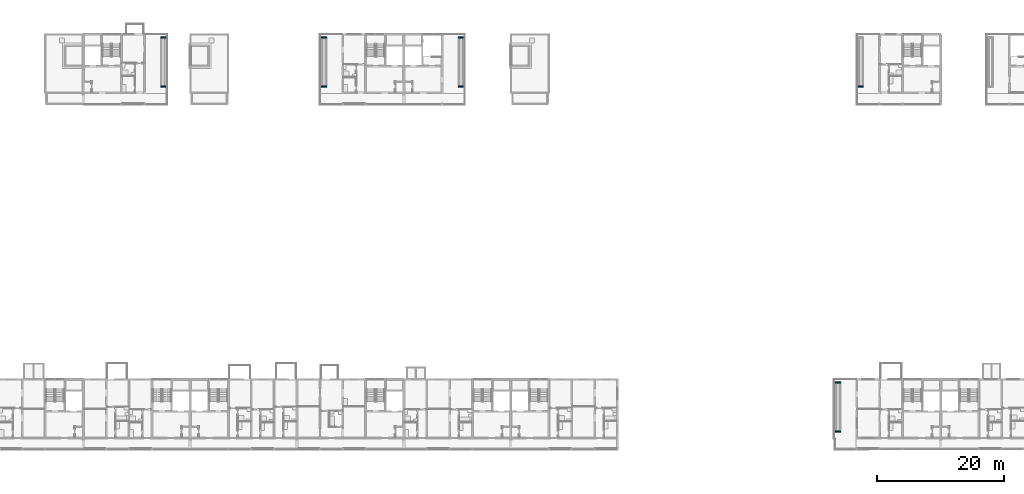
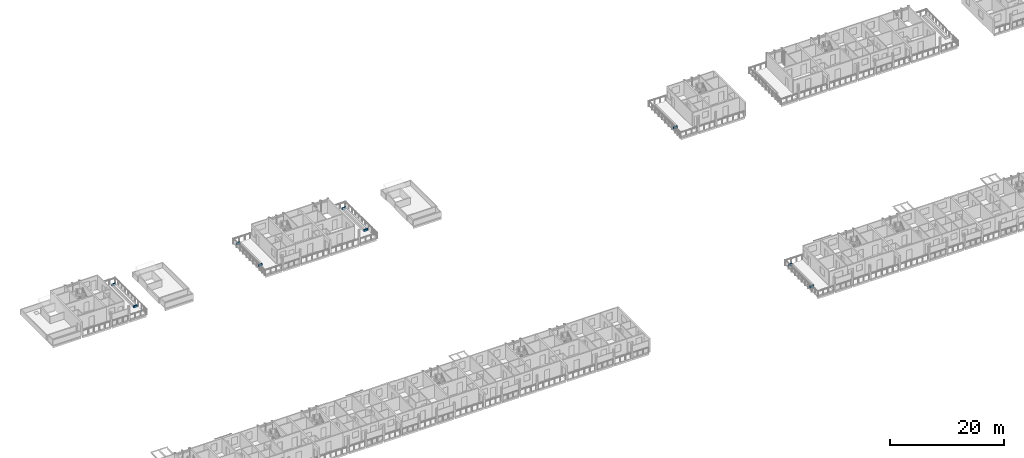
# One storey, part 60 of 87: 9 walls.
"""IFC4 building model written with IfcOpenShell, lengths in metres."""

import ifcopenshell
import ifcopenshell.guid

model = None  # the IFC model being written
_history = None  # IfcOwnerHistory: only IFC2X3 demands one
_inside = {}  # id of a spatial element -> (the spatial element, [elements in it])
_under = {}  # id of a project, library or spatial element -> (it, [spatial elements below it])
_declared = {}  # id of a project -> (the project, [libraries it declares])
_typed = {}  # id of a type object -> (the type object, [elements of that type])
_made_of = {}  # id of a material, layer set ... -> (it, [elements and type objects made of it])


def new_model(schema):
    """Start an empty IFC model of exactly this schema.

    Asked for "IFC4X3", IfcOpenShell would pick the latest addendum, in which some entities
    have other attributes; the version numbers below select the first issue.
    IFC2X3 requires an IfcOwnerHistory on every rooted entity: one is made here for all.
    """
    global model, _history
    if schema == "IFC4X3":
        model = ifcopenshell.file(schema_version=(4, 3, 0, 0))
    else:
        model = ifcopenshell.file(schema=schema)
    _inside.clear()
    _under.clear()
    _declared.clear()
    _typed.clear()
    _made_of.clear()
    _history = None
    if model.schema == "IFC2X3":
        org = make("IfcOrganization", Name="unknown")
        user = make(
            "IfcPersonAndOrganization",
            ThePerson=make("IfcPerson", FamilyName="unknown"),
            TheOrganization=org,
        )
        app = make(
            "IfcApplication",
            ApplicationDeveloper=org,
            Version="unknown",
            ApplicationFullName="unknown",
            ApplicationIdentifier="unknown",
        )
        _history = make(
            "IfcOwnerHistory",
            OwningUser=user,
            OwningApplication=app,
            ChangeAction="ADDED",
            CreationDate=0,
        )
    return model


def make(cls, **values):
    """One entity of the class cls with the attributes given. An attribute that is None is left unset."""
    return model.create_entity(
        cls, **{name: value for name, value in values.items() if value is not None}
    )


def rooted(cls, **values):
    """An entity with a GlobalId (a new one), such as an element, a storey or a relation."""
    return make(cls, GlobalId=ifcopenshell.guid.new(), OwnerHistory=_history, **values)


def si_unit(unit_type, name, prefix=None):
    """IfcSIUnit, for example si_unit("LENGTHUNIT", "METRE", prefix="MILLI")."""
    return make("IfcSIUnit", UnitType=unit_type, Prefix=prefix, Name=name)


def assignment(units):
    """IfcUnitAssignment: the units of a project."""
    return None if units is None else make("IfcUnitAssignment", Units=units)


def point(xyz):
    """IfcCartesianPoint."""
    return None if xyz is None else make("IfcCartesianPoint", Coordinates=xyz)


def direction(xyz):
    """IfcDirection."""
    return None if xyz is None else make("IfcDirection", DirectionRatios=xyz)


def frame(location, z_axis=None, x_axis=None):
    """IfcAxis2Placement3D, a coordinate frame: its origin and axes. An axis left out is left unset."""
    return make(
        "IfcAxis2Placement3D",
        Location=point(location),
        Axis=direction(z_axis),
        RefDirection=direction(x_axis),
    )


def frame_2d(location, x_axis=None):
    """IfcAxis2Placement2D, a coordinate frame in the plane: its origin and x axis."""
    return make(
        "IfcAxis2Placement2D", Location=point(location), RefDirection=direction(x_axis)
    )


def origin():
    """The frame at (0, 0, 0) with its axes left unset."""
    return frame((0.0, 0.0, 0.0))


def place(relative_to, where):
    """IfcLocalPlacement: puts the frame where relative to a parent placement (None: the world)."""
    return make(
        "IfcLocalPlacement", PlacementRelTo=relative_to, RelativePlacement=where
    )


def context(
    kind, dimensions, precision=None, world=None, true_north=None, identifier=None
):
    """IfcGeometricRepresentationContext, for example the 3D "Model" context."""
    return make(
        "IfcGeometricRepresentationContext",
        ContextIdentifier=identifier,
        ContextType=kind,
        CoordinateSpaceDimension=dimensions,
        Precision=precision,
        WorldCoordinateSystem=world,
        TrueNorth=true_north,
    )


def subcontext(parent, identifier, kind, view, scale=None):
    """IfcGeometricRepresentationSubContext, for example "Body" below "Model"."""
    return make(
        "IfcGeometricRepresentationSubContext",
        ContextIdentifier=identifier,
        ContextType=kind,
        ParentContext=parent,
        TargetScale=scale,
        TargetView=view,
    )


def project(units=None, contexts=None):
    """IfcProject with its units and contexts."""
    return rooted(
        "IfcProject",
        Name="project",
        RepresentationContexts=contexts,
        UnitsInContext=assignment(units),
    )


def spatial(cls, under=None, at=None, **own):
    """A site, building, storey or space (cls), placed at a placement, below another one or the project."""
    s = rooted(cls, ObjectPlacement=at, **own)
    if under is not None:
        _under.setdefault(under.id(), (under, []))[1].append(s)
    return s


def profile(cls, at=None, kind="AREA", **sizes):
    """A parametric profile (cls). Its sizes go by their IFC names, for example OverallWidth=200.0."""
    return make(cls, ProfileType=kind, Position=at, **sizes)


def rectangle(**sizes):
    """IfcRectangleProfileDef."""
    return profile("IfcRectangleProfileDef", **sizes)


def extrude(swept, where, along, depth):
    """IfcExtrudedAreaSolid: the profile swept, set in the frame where, extruded along a direction by depth."""
    return make(
        "IfcExtrudedAreaSolid",
        SweptArea=swept,
        Position=where,
        ExtrudedDirection=direction(along),
        Depth=depth,
    )


def shape(context_of_items, identifier, shape_type, items):
    """IfcShapeRepresentation: the items that make up one representation, for example the "Body"."""
    return make(
        "IfcShapeRepresentation",
        ContextOfItems=context_of_items,
        RepresentationIdentifier=identifier,
        RepresentationType=shape_type,
        Items=items,
    )


def material(Name=None, Category=None):
    """IfcMaterial."""
    return make("IfcMaterial", Name=Name, Category=Category)


def layer(
    of_material, thickness, ventilated=None, Name=None, Category=None, Priority=None
):
    """IfcMaterialLayer: one layer of a wall or slab, of a material (None: an air gap)."""
    return make(
        "IfcMaterialLayer",
        Material=of_material,
        LayerThickness=thickness,
        IsVentilated=ventilated,
        Name=Name,
        Category=Category,
        Priority=Priority,
    )


def layer_set(layers, Name=None):
    """IfcMaterialLayerSet."""
    return make("IfcMaterialLayerSet", MaterialLayers=layers, LayerSetName=Name)


def made_of(thing, what):
    """Note that an element or type object is made of a material, layer set ...; save() writes the relation."""
    if what is not None:
        _made_of.setdefault(what.id(), (what, []))[1].append(thing)
    return thing


def type_object(cls, material=None, **own):
    """A type object (cls), such as IfcWallType, which elements share."""
    return made_of(rooted(cls, **own), material)


def element(
    cls,
    number,
    at=None,
    inside=None,
    cuts=None,
    type_object=None,
    material=None,
    context=None,
    identifier="Body",
    shape_type=None,
    held_by="IfcProductDefinitionShape",
    body=None,
    shapes=None,
    **own,
):
    """One element of the class cls, such as IfcWall. Its Tag is "e" and its number.

    at: its placement. inside: the storey or other place that contains it. cuts: it is an
    opening in that element (IfcRelVoidsElement). A single representation is given by context,
    identifier, shape_type and body (its items); several are given by shapes. held_by: the class
    of the entity that holds the representations. save() writes the other relations.
    """
    e = rooted(cls, Tag="e%d" % number, ObjectPlacement=at, **own)
    if body is not None:
        shapes = [shape(context, identifier, shape_type, body)]
    if shapes is not None:
        e.Representation = make(held_by, Representations=shapes)
    if inside is not None:
        _inside.setdefault(inside.id(), (inside, []))[1].append(e)
    if cuts is not None:
        rooted(
            "IfcRelVoidsElement", RelatingBuildingElement=cuts, RelatedOpeningElement=e
        )
    if type_object is not None:
        _typed.setdefault(type_object.id(), (type_object, []))[1].append(e)
    return made_of(e, material)


def aggregate(whole, parts):
    """IfcRelAggregates: a whole, such as a stair, and the parts it consists of."""
    return rooted("IfcRelAggregates", RelatingObject=whole, RelatedObjects=parts)


def save(model, path):
    """Write the relations noted so far, then the file.

    IfcRelAggregates (storeys below a building ...), IfcRelContainedInSpatialStructure (elements
    in a storey), IfcRelDefinesByType, IfcRelAssociatesMaterial and IfcRelDeclares: one each for
    every whole, place, type object, material and project.
    """
    for whole, parts in _under.values():
        aggregate(whole, parts)
    for where, things in _inside.values():
        rooted(
            "IfcRelContainedInSpatialStructure",
            RelatedElements=things,
            RelatingStructure=where,
        )
    for kind, things in _typed.values():
        rooted("IfcRelDefinesByType", RelatedObjects=things, RelatingType=kind)
    for what, things in _made_of.values():
        rooted("IfcRelAssociatesMaterial", RelatedObjects=things, RelatingMaterial=what)
    for by, libraries in _declared.values():
        rooted("IfcRelDeclares", RelatingContext=by, RelatedDefinitions=libraries)
    model.write(path)


model = new_model("IFC4")

# Units and contexts
model_context = context("Model", 3, precision=1e-05, world=origin(), true_north=direction((0.0, 1.0)))
body_context = subcontext(model_context, "Body", "Model", "MODEL_VIEW")
ifc_project = project(units=[si_unit("LENGTHUNIT", "METRE"), si_unit("AREAUNIT", "SQUARE_METRE"), si_unit("VOLUMEUNIT", "CUBIC_METRE"), si_unit("PLANEANGLEUNIT", "RADIAN"), si_unit("MASSUNIT", "GRAM", prefix="KILO")], contexts=[model_context])

# Site, building, storey
site_placement = place(None, origin())
site = spatial("IfcSite", under=ifc_project, at=site_placement, CompositionType="ELEMENT")
building_placement = place(site_placement, origin())
building = spatial("IfcBuilding", under=site, at=building_placement, Name="Ridgestep Commons", CompositionType="ELEMENT")
storey_placement = place(building_placement, frame((0.0, 0.0, 27.0)))
storey = spatial("IfcBuildingStorey", under=building, at=storey_placement, Name="L09", CompositionType="ELEMENT", Elevation=27.0)

# Walls
ifc_material = material(Name="Facing brick", Category="masonry")
ifc_layer = layer(ifc_material, 0.199951171875)
ifc_layer_set = layer_set([ifc_layer], Name="Planter wall 200")
wall_type = type_object("IfcWallType", Name="Planter wall 200", PredefinedType="SOLIDWALL", material=ifc_layer_set)
for number, where, z_axis, x_axis, name in (
    (1, (147.050048828125, 14.64990234375, 0.010009765625), (0.0, 0.0, 1.0), (1.0, 0.0, 0.0), "Planter wall D1R1S"),
    (2, (147.050048828125, 22.35009765625, 0.010009765625), (0.0, 0.0, 1.0), (1.0, 0.0, 0.0), "Planter wall D1R1N"),
    (3, (40.949951171875, 68.89990234375, 0.010009765625), (0.0, 0.0, 1.0), (1.0, 0.0, 0.0), "Planter wall B2R2S"),
    (4, (40.949951171875, 76.60009765625, 0.010009765625), (0.0, 0.0, 1.0), (1.0, 0.0, 0.0), "Planter wall B2R2N"),
    (5, (66.25, 68.89990234375, 0.010009765625), (0.0, 0.0, 1.0), (1.0, 0.0, 0.0), "Planter wall B4R2S"),
    (6, (66.25, 76.60009765625, 0.010009765625), (0.0, 0.0, 1.0), (1.0, 0.0, 0.0), "Planter wall B4R2N"),
    (7, (87.75, 68.89990234375, 0.010009765625), (0.0, 0.0, 1.0), (1.0, 0.0, 0.0), "Planter wall B5R3S"),
    (8, (87.75, 76.60009765625, 0.010009765625), (0.0, 0.0, 1.0), (1.0, 0.0, 0.0), "Planter wall B5R3N"),
    (9, (150.64990234375, 68.89990234375, 0.010009765625), (0.0, 0.0, 1.0), (1.0, 0.0, 0.0), "Planter wall C1R2S"),
):
    element("IfcWall", number, at=place(storey_placement, frame(where, z_axis=z_axis, x_axis=x_axis)), inside=storey, type_object=wall_type, Name=name, PredefinedType="SOLIDWALL", context=body_context, shape_type="SweptSolid", body=[
        extrude(rectangle(XDim=0.800048828125, YDim=0.199951171875, at=frame_2d((0.39990234375, 0.0))), origin(), (0.0, 0.0, 1.0), 0.449951171875),
    ])

save(model, "model.ifc")
